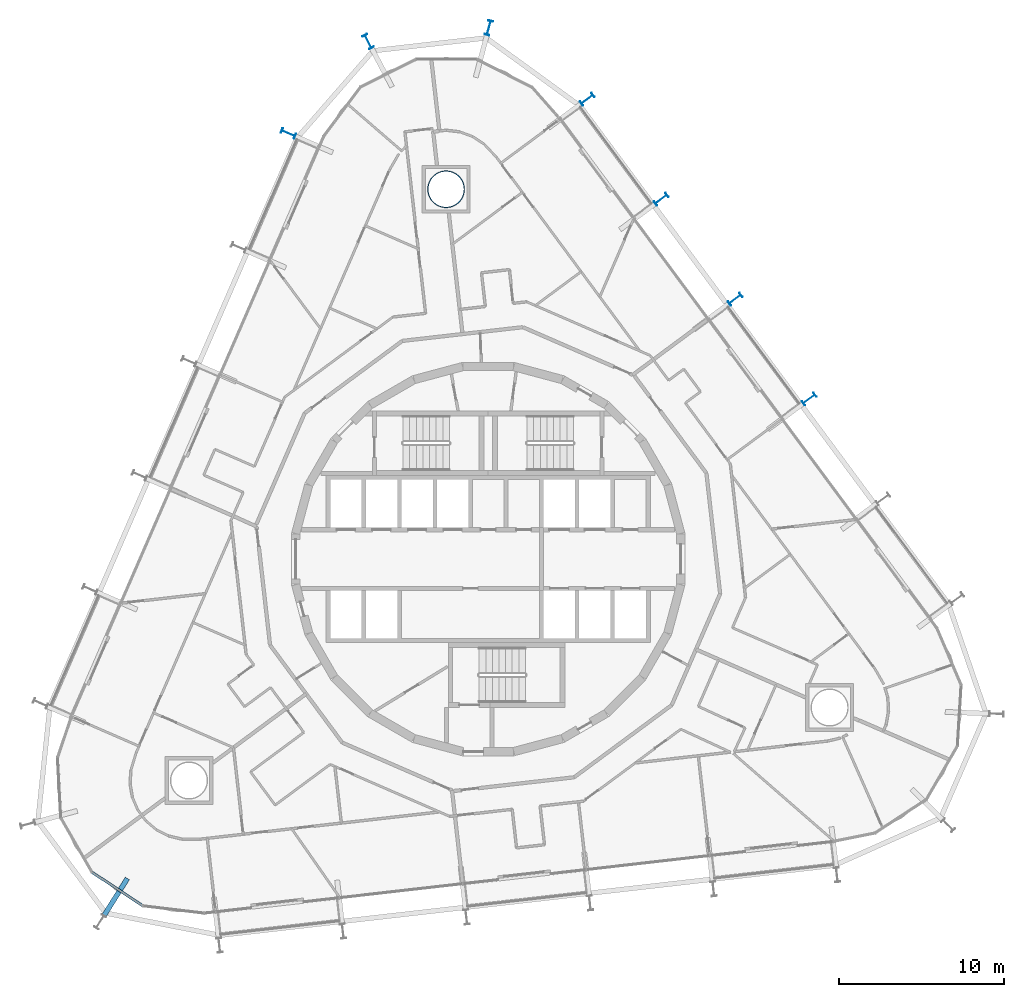
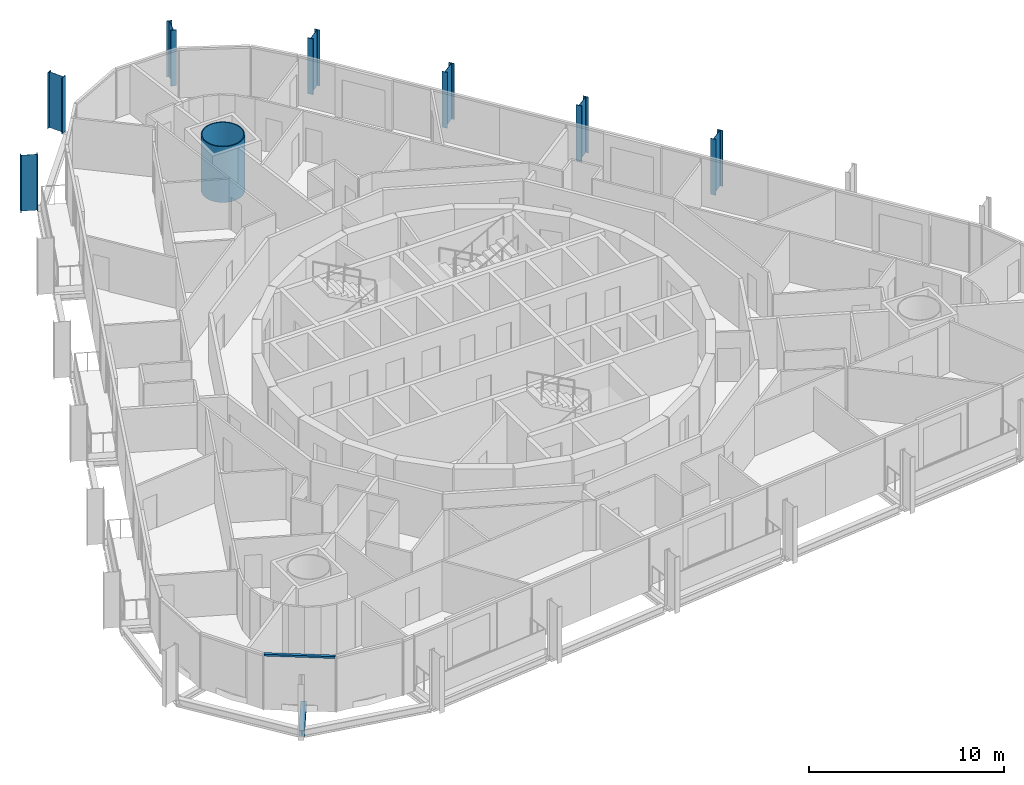
# One storey, part 2 of 24: 8 columns, 1 beam, 1 member, 1 element without a shape of its own.
"""IFC4 building model written with IfcOpenShell, lengths in metres."""

from ifc_helpers import new_model, si_unit, direction, frame, origin, origin_2d, place, context, subcontext, project, spatial, rectangle, hollow_circle, i_section, extrude, material, layer, layer_set, material_profile, profile_set, type_object, element, aggregate, save


model = new_model("IFC4")

# Units and contexts
model_context = context("Model", 3, precision=1e-05, world=origin(), true_north=direction((0.0, 1.0)))
body_context = subcontext(model_context, "Body", "Model", "MODEL_VIEW")
ifc_project = project(units=[si_unit("LENGTHUNIT", "METRE"), si_unit("AREAUNIT", "SQUARE_METRE"), si_unit("VOLUMEUNIT", "CUBIC_METRE"), si_unit("PLANEANGLEUNIT", "RADIAN"), si_unit("MASSUNIT", "GRAM", prefix="KILO")], contexts=[model_context])

# Site, building, storey
site_placement = place(None, origin())
site = spatial("IfcSite", under=ifc_project, at=site_placement, CompositionType="ELEMENT")
building_placement = place(site_placement, origin())
building = spatial("IfcBuilding", under=site, at=building_placement, Name="Spindle Arch Residences", CompositionType="ELEMENT")
storey_placement = place(building_placement, frame((0.0, 0.0, 101.199951171875)))
storey = spatial("IfcBuildingStorey", under=building, at=storey_placement, Name="L24", CompositionType="ELEMENT", Elevation=101.199951171875)

# Columns
ifc_material_1 = material(Name="Steel S460ML, intumescent coating R 240", Category="steel")
ifc_material_profile_1 = material_profile(ifc_material_1, i_section(OverallWidth=0.300048828125, OverallDepth=0.89990234375, WebThickness=0.0185546875, FlangeThickness=0.034912109375, FilletRadius=0.030029296875, at=origin_2d()), Name="HEB 900")
ifc_profile_set_1 = profile_set([ifc_material_profile_1], Name="Steel S460ML, intumescent coating R 240")
column_type_1 = type_object("IfcColumnType", Name="Exoskeleton post HEB 900", PredefinedType="COLUMN", material=ifc_profile_set_1)
for number, where, z_axis, x_axis, name in (
    (1, (19.404541015625, 9.681884765625, -0.3798828125), (0.0, 0.0, 1.0), (0.594822857897, -0.803856807972, 0.0), "Exoskeleton post 8"),
    (2, (14.93212890625, 15.72607421875, -0.3798828125), (0.0, 0.0, 1.0), (0.594822857897, -0.803856807972, 0.0), "Exoskeleton post 9"),
    (3, (10.459716796875, 21.77001953125, -0.3798828125), (0.0, 0.0, 1.0), (0.594822857897, -0.803856807972, 0.0), "Exoskeleton post 10"),
    (4, (5.987548828125, 27.814208984375, -0.3798828125), (0.0, 0.0, 1.0), (0.594822857897, -0.803856807972, 0.0), "Exoskeleton post 11"),
    (5, (0.035888671875, 32.134033203125, -0.3798828125), (0.0, 0.0, 1.0), (0.966704856799, -0.255893962102, 0.0), "Exoskeleton post 12"),
    (6, (-7.263427734375, 31.302490234375, -0.3798828125), (0.0, 0.0, 1.0), (0.884364605378, 0.466796791715, 0.0), "Exoskeleton post 13"),
    (7, (-12.0908203125, 25.75439453125, -0.3798828125), (0.0, 0.0, 1.0), (0.398749038162, 0.917060087761, 0.0), "Exoskeleton post 14"),
):
    element("IfcColumn", number, at=place(storey_placement, frame(where, z_axis=z_axis, x_axis=x_axis)), inside=storey, type_object=column_type_1, Name=name, PredefinedType="COLUMN", context=body_context, shape_type="SweptSolid", body=[
        extrude(i_section(OverallWidth=0.300048828125, OverallDepth=0.89990234375, WebThickness=0.0185546875, FlangeThickness=0.034912109375, FilletRadius=0.030029296875, at=origin_2d()), origin(), (0.0, 0.0, 1.0), 3.5),
    ])
ifc_material_2 = material(Name="Concrete C50/60 filled steel tube S460ML, intumescent coating R 240", Category="concrete")
ifc_material_profile_2 = material_profile(ifc_material_2, hollow_circle(Radius=1.125, WallThickness=0.054931640625, at=origin_2d()), Name="CFT D2250x55")
ifc_profile_set_2 = profile_set([ifc_material_profile_2], Name="Concrete C50/60 filled steel tube S460ML, intumescent coating R 240")
column_type_2 = type_object("IfcColumnType", Name="Mega-column CFT D2250x55", PredefinedType="COLUMN", material=ifc_profile_set_2)
column_placement = place(storey_placement, frame((-2.548828125, 22.370361328125, -0.3798828125), z_axis=(0.0, 0.0, 1.0), x_axis=(1.0, 0.0, 0.0)))
element("IfcColumn", 8, at=column_placement, inside=storey, type_object=column_type_2, Name="Mega-column 2", PredefinedType="COLUMN", context=body_context, shape_type="SweptSolid", body=[
    extrude(hollow_circle(Radius=1.125, WallThickness=0.054931640625, at=origin_2d()), origin(), (0.0, 0.0, 1.0), 3.5),
])

# Curtain wall, member
ifc_material_3 = material(Name="Aluminium bronze unitised frame with tinted glass", Category="aluminium")
ifc_layer = layer(ifc_material_3, 0.159912109375)
ifc_layer_set = layer_set([ifc_layer], Name="CW-D corner wall on the fillet arcs")
curtain_wall_type = type_object("IfcCurtainWallType", Name="CW-D corner wall on the fillet arcs", PredefinedType="NOTDEFINED", material=ifc_layer_set)
curtain_wall_placement = place(storey_placement, origin())
curtain_wall = element("IfcCurtainWall", 9, at=curtain_wall_placement, inside=storey, type_object=curtain_wall_type, Name="CW-D L24 run 5", PredefinedType="NOTDEFINED")
ifc_material_4 = material(Name="Aluminium bronze anodised transom", Category="aluminium")
ifc_material_profile_3 = material_profile(ifc_material_4, rectangle(XDim=0.159912109375, YDim=0.1201171875, at=origin_2d()), Name="TR 120x160")
ifc_profile_set_3 = profile_set([ifc_material_profile_3], Name="Aluminium bronze anodised transom")
member_type = type_object("IfcMemberType", Name="Bronze transom 120x160", PredefinedType="USERDEFINED", material=ifc_profile_set_3)
member_placement = place(storey_placement, frame((-23.967041015625, -18.936767578125, 3.06005859375), z_axis=(0.833899758412, -0.551915929214, 0.0), x_axis=(0.551915929214, 0.833899758412, 0.0)))
member = element("IfcMember", 10, at=member_placement, type_object=member_type, Name="CW-D transom 03", ObjectType="TRANSOM", PredefinedType="USERDEFINED", context=body_context, shape_type="SweptSolid", body=[
    extrude(rectangle(XDim=0.159912109375, YDim=0.1201171875, at=origin_2d()), origin(), (0.0, 0.0, 1.0), 3.666748046875),
])
aggregate(curtain_wall, [member])

# Beam
ifc_material_5 = material(Name="Steel S460ML, intumescent coating R 120", Category="steel")
ifc_material_profile_4 = material_profile(ifc_material_5, i_section(OverallWidth=0.300048828125, OverallDepth=0.389892578125, WebThickness=0.010986328125, FlangeThickness=0.01904296875, FilletRadius=0.027099609375, at=origin_2d()), Name="HEA 400")
ifc_profile_set_4 = profile_set([ifc_material_profile_4], Name="Steel S460ML, intumescent coating R 120")
beam_type = type_object("IfcBeamType", Name="Floor outrigger HEA 400", PredefinedType="BEAM", material=ifc_profile_set_4)
beam_placement = place(storey_placement, frame((-23.2373046875, -21.560546875, -0.574951171875), z_axis=(0.532414919102, 0.846483522532, 0.0), x_axis=(-0.846483522532, 0.532414919102, 0.0)))
element("IfcBeam", 11, at=beam_placement, inside=storey, type_object=beam_type, Name="Floor outrigger 21", PredefinedType="BEAM", context=body_context, shape_type="SweptSolid", body=[
    extrude(i_section(OverallWidth=0.300048828125, OverallDepth=0.389892578125, WebThickness=0.010986328125, FlangeThickness=0.01904296875, FilletRadius=0.027099609375, at=origin_2d()), origin(), (0.0, 0.0, 1.0), 2.64990234375),
])

save(model, "model.ifc")
